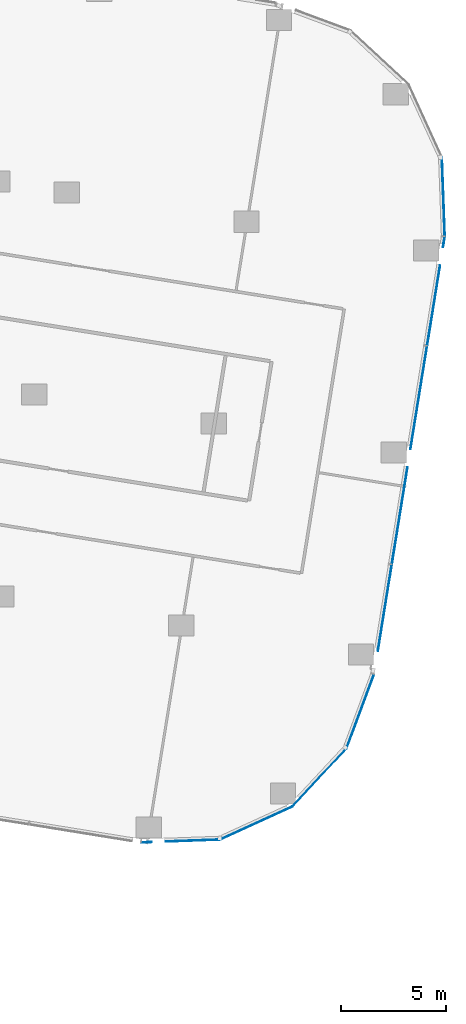
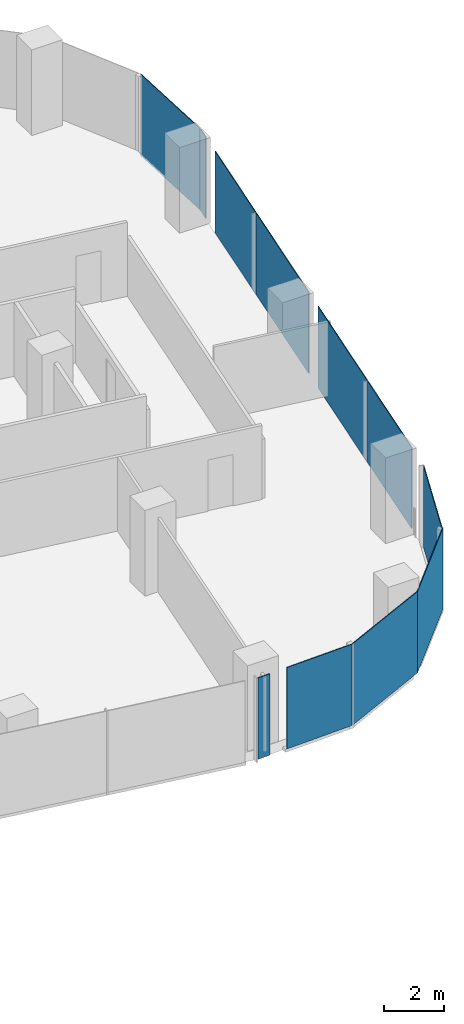
# One storey, part 22 of 34: 11 plates, 6 elements without a shape of their own.
"""IFC4 building model written with IfcOpenShell, lengths in metres."""

from ifc_helpers import new_model, si_unit, direction, frame, origin, origin_2d, place, context, subcontext, project, spatial, rectangle, extrude, material, layer, layer_set, type_object, element, aggregate, save


model = new_model("IFC4")

# Units and contexts
model_context = context("Model", 3, precision=1e-05, world=origin(), true_north=direction((0.0, 1.0)))
body_context = subcontext(model_context, "Body", "Model", "MODEL_VIEW")
ifc_project = project(units=[si_unit("LENGTHUNIT", "METRE"), si_unit("AREAUNIT", "SQUARE_METRE"), si_unit("VOLUMEUNIT", "CUBIC_METRE"), si_unit("PLANEANGLEUNIT", "RADIAN"), si_unit("MASSUNIT", "GRAM", prefix="KILO")], contexts=[model_context])

# Site, building, storey
site_placement = place(None, origin())
site = spatial("IfcSite", under=ifc_project, at=site_placement, CompositionType="ELEMENT")
building_placement = place(site_placement, origin())
building = spatial("IfcBuilding", under=site, at=building_placement, Name="Orlundy Tower", CompositionType="ELEMENT")
storey_placement = place(building_placement, frame((0.0, 0.0, 134.199951171875)))
storey = spatial("IfcBuildingStorey", under=building, at=storey_placement, Name="L34", CompositionType="ELEMENT", Elevation=134.199951171875)

# Curtain wall, plate
ifc_material_1 = material(Name="Aluminium bronze anodised", Category="aluminium")
curtain_wall_type = type_object("IfcCurtainWallType", Name="CW1 wall", PredefinedType="NOTDEFINED", material=ifc_material_1)
curtain_wall_1_placement = place(storey_placement, origin())
curtain_wall_1 = element("IfcCurtainWall", 1, at=curtain_wall_1_placement, inside=storey, type_object=curtain_wall_type, Name="CW1 run 010", PredefinedType="NOTDEFINED")
ifc_material_2 = material(Name="Tinted glass", Category="glass")
ifc_layer = layer(ifc_material_2, 0.031982421875)
ifc_layer_set = layer_set([ifc_layer], Name="CW1 glass panel 32")
plate_type = type_object("IfcPlateType", Name="CW1 glass panel 32", PredefinedType="CURTAIN_PANEL", material=ifc_layer_set)
plate_1_placement = place(storey_placement, frame((60.508544921875, 2.765625, -0.280029296875), z_axis=(0.0, 0.0, 1.0), x_axis=(0.036422900353, -0.999336466026, 0.0)))
plate_1 = element("IfcPlate", 2, at=plate_1_placement, type_object=plate_type, Name="CW1 panel", PredefinedType="CURTAIN_PANEL", context=body_context, shape_type="SweptSolid", body=[
    extrude(rectangle(XDim=3.730224609375, YDim=0.031982421875, at=origin_2d()), origin(), (0.0, 0.0, 1.0), 3.330078125),
])
aggregate(curtain_wall_1, [plate_1])

# Curtain wall, plates
curtain_wall_2_placement = place(storey_placement, origin())
curtain_wall_2 = element("IfcCurtainWall", 3, at=curtain_wall_2_placement, inside=storey, type_object=curtain_wall_type, Name="CW1 run 011", PredefinedType="NOTDEFINED")
plate_2_placement = place(storey_placement, frame((60.533203125, 0.602783203125, -0.280029296875), z_axis=(0.0, 0.0, 1.0), x_axis=(-0.159331248677, -0.987225178566, 0.0)))
plate_2 = element("IfcPlate", 4, at=plate_2_placement, type_object=plate_type, Name="CW1 panel", PredefinedType="CURTAIN_PANEL", context=body_context, shape_type="SweptSolid", body=[
    extrude(rectangle(XDim=0.505126953125, YDim=0.031982421875, at=origin_2d()), origin(), (0.0, 0.0, 1.0), 3.330078125),
])
plate_3_placement = place(storey_placement, frame((60.04833984375, -2.40234375, -0.280029296875), z_axis=(0.0, 0.0, 1.0), x_axis=(-0.159331248677, -0.987225178566, 0.0)))
plate_3 = element("IfcPlate", 5, at=plate_3_placement, type_object=plate_type, Name="CW1 panel", PredefinedType="CURTAIN_PANEL", context=body_context, shape_type="SweptSolid", body=[
    extrude(rectangle(XDim=3.839599609375, YDim=0.031982421875, at=origin_2d()), origin(), (0.0, 0.0, 1.0), 3.330078125),
])
plate_4_placement = place(storey_placement, frame((59.34130859375, -6.783203125, -0.280029296875), z_axis=(0.0, 0.0, 1.0), x_axis=(-0.159331248677, -0.987225178566, 0.0)))
plate_4 = element("IfcPlate", 6, at=plate_4_placement, type_object=plate_type, Name="CW1 panel", PredefinedType="CURTAIN_PANEL", context=body_context, shape_type="SweptSolid", body=[
    extrude(rectangle(XDim=4.935791015625, YDim=0.031982421875, at=origin_2d()), origin(), (0.0, 0.0, 1.0), 3.330078125),
])
plate_5_placement = place(storey_placement, frame((58.43896484375, -12.373291015625, -0.280029296875), z_axis=(0.0, 0.0, 1.0), x_axis=(-0.159331248677, -0.987225178566, 0.0)))
plate_5 = element("IfcPlate", 7, at=plate_5_placement, type_object=plate_type, Name="CW1 panel", PredefinedType="CURTAIN_PANEL", context=body_context, shape_type="SweptSolid", body=[
    extrude(rectangle(XDim=4.6396484375, YDim=0.031982421875, at=origin_2d()), origin(), (0.0, 0.0, 1.0), 3.330078125),
])
plate_6_placement = place(storey_placement, frame((57.732177734375, -16.752685546875, -0.280029296875), z_axis=(0.0, 0.0, 1.0), x_axis=(-0.159331248677, -0.987225178566, 0.0)))
plate_6 = element("IfcPlate", 8, at=plate_6_placement, type_object=plate_type, Name="CW1 panel", PredefinedType="CURTAIN_PANEL", context=body_context, shape_type="SweptSolid", body=[
    extrude(rectangle(XDim=4.13232421875, YDim=0.031982421875, at=origin_2d()), origin(), (0.0, 0.0, 1.0), 3.330078125),
])
aggregate(curtain_wall_2, [plate_2, plate_3, plate_4, plate_5, plate_6])

# Curtain wall, plate
curtain_wall_3_placement = place(storey_placement, origin())
curtain_wall_3 = element("IfcCurtainWall", 9, at=curtain_wall_3_placement, inside=storey, type_object=curtain_wall_type, Name="CW1 run 012", PredefinedType="NOTDEFINED")
plate_7_placement = place(storey_placement, frame((56.56689453125, -21.65869140625, -0.280029296875), z_axis=(0.0, 0.0, 1.0), x_axis=(-0.348816372674, -0.937191089455, 0.0)))
plate_7 = element("IfcPlate", 10, at=plate_7_placement, type_object=plate_type, Name="CW1 panel", PredefinedType="CURTAIN_PANEL", context=body_context, shape_type="SweptSolid", body=[
    extrude(rectangle(XDim=3.73046875, YDim=0.031982421875, at=origin_2d()), origin(), (0.0, 0.0, 1.0), 3.330078125),
])
aggregate(curtain_wall_3, [plate_7])

curtain_wall_4_placement = place(storey_placement, origin())
curtain_wall_4 = element("IfcCurtainWall", 11, at=curtain_wall_4_placement, inside=storey, type_object=curtain_wall_type, Name="CW1 run 013", PredefinedType="NOTDEFINED")
plate_8_placement = place(storey_placement, frame((54.632080078125, -24.78759765625, -0.280029296875), z_axis=(0.0, 0.0, 1.0), x_axis=(-0.681009748469, -0.732274349196, 0.0)))
plate_8 = element("IfcPlate", 12, at=plate_8_placement, type_object=plate_type, Name="CW1 panel", PredefinedType="CURTAIN_PANEL", context=body_context, shape_type="SweptSolid", body=[
    extrude(rectangle(XDim=3.771484375, YDim=0.031982421875, at=origin_2d()), origin(), (0.0, 0.0, 1.0), 3.330078125),
])
aggregate(curtain_wall_4, [plate_8])

curtain_wall_5_placement = place(storey_placement, origin())
curtain_wall_5 = element("IfcCurtainWall", 13, at=curtain_wall_5_placement, inside=storey, type_object=curtain_wall_type, Name="CW1 run 014", PredefinedType="NOTDEFINED")
plate_9_placement = place(storey_placement, frame((51.63330078125, -26.953125, -0.280029296875), z_axis=(0.0, 0.0, 1.0), x_axis=(-0.909328663876, -0.416078575575, 0.0)))
plate_9 = element("IfcPlate", 14, at=plate_9_placement, type_object=plate_type, Name="CW1 panel", PredefinedType="CURTAIN_PANEL", context=body_context, shape_type="SweptSolid", body=[
    extrude(rectangle(XDim=3.771240234375, YDim=0.031982421875, at=origin_2d()), origin(), (0.0, 0.0, 1.0), 3.330078125),
])
aggregate(curtain_wall_5, [plate_9])

# Curtain wall, plates
curtain_wall_6_placement = place(storey_placement, origin())
curtain_wall_6 = element("IfcCurtainWall", 15, at=curtain_wall_6_placement, inside=storey, type_object=curtain_wall_type, Name="CW1 run 015", PredefinedType="NOTDEFINED")
plate_10_placement = place(storey_placement, frame((48.626708984375, -27.78466796875, -0.280029296875), z_axis=(0.0, 0.0, 1.0), x_axis=(-0.999336823804, -0.036413082656, 0.0)))
plate_10 = element("IfcPlate", 16, at=plate_10_placement, type_object=plate_type, Name="CW1 panel", PredefinedType="CURTAIN_PANEL", context=body_context, shape_type="SweptSolid", body=[
    extrude(rectangle(XDim=2.585205078125, YDim=0.031982421875, at=origin_2d()), origin(), (0.0, 0.0, 1.0), 3.330078125),
])
plate_11_placement = place(storey_placement, frame((46.430908203125, -27.86474609375, -0.280029296875), z_axis=(0.0, 0.0, 1.0), x_axis=(-0.999336823804, -0.036413082656, 0.0)))
plate_11 = element("IfcPlate", 17, at=plate_11_placement, type_object=plate_type, Name="CW1 panel", PredefinedType="CURTAIN_PANEL", context=body_context, shape_type="SweptSolid", body=[
    extrude(rectangle(XDim=0.482421875, YDim=0.031982421875, at=origin_2d()), origin(), (0.0, 0.0, 1.0), 3.330078125),
])
aggregate(curtain_wall_6, [plate_10, plate_11])

save(model, "model.ifc")
